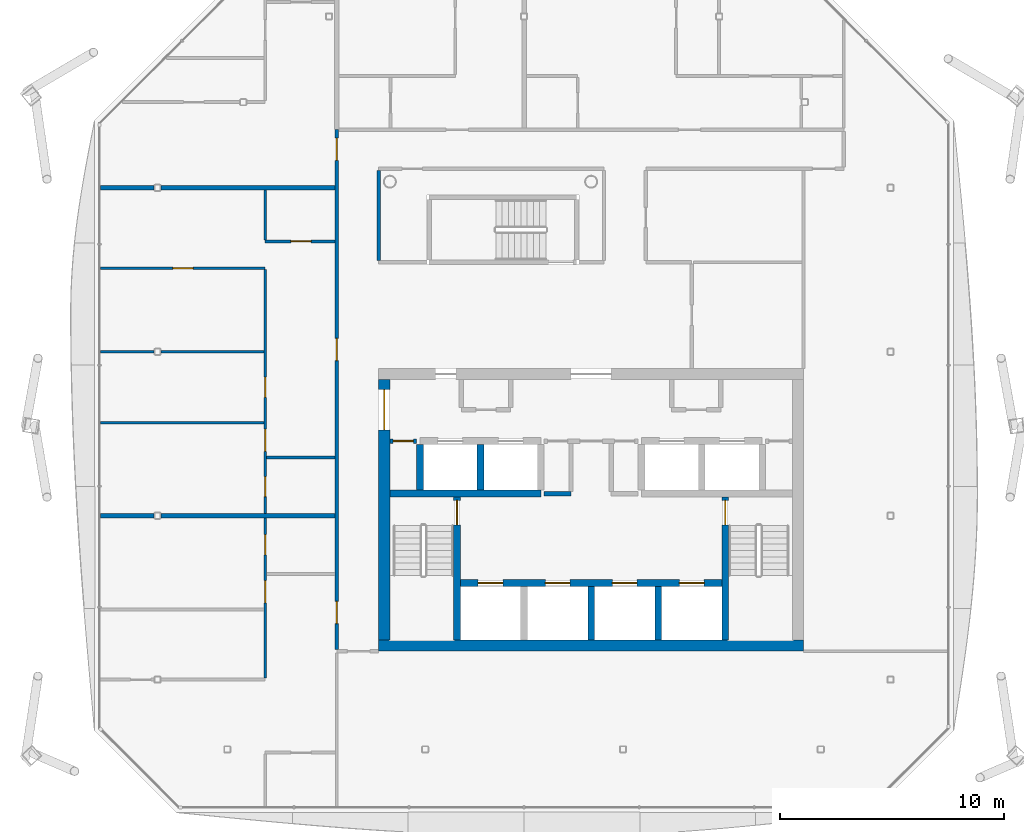
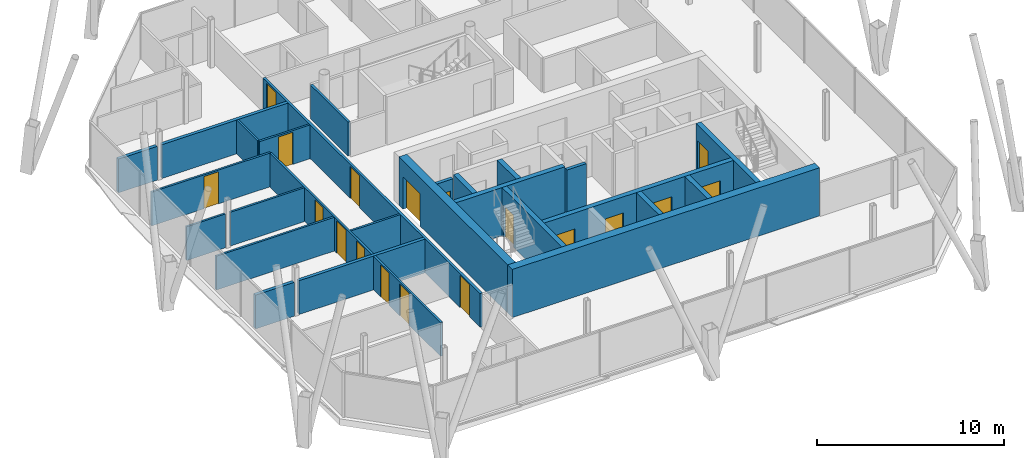
# One storey, part 12 of 18: 26 walls, 18 doors, 18 openings.
"""IFC4 building model written with IfcOpenShell, lengths in metres."""

from ifc_helpers import new_model, si_unit, direction, frame, frame_2d, origin, place, context, subcontext, project, spatial, rectangle, extrude, material, layer, layer_set, type_object, element, fill, save


model = new_model("IFC4")

# Units and contexts
model_context = context("Model", 3, precision=1e-05, world=origin(), true_north=direction((0.0, 1.0)))
body_context = subcontext(model_context, "Body", "Model", "MODEL_VIEW")
ifc_project = project(units=[si_unit("LENGTHUNIT", "METRE"), si_unit("AREAUNIT", "SQUARE_METRE"), si_unit("VOLUMEUNIT", "CUBIC_METRE"), si_unit("PLANEANGLEUNIT", "RADIAN"), si_unit("MASSUNIT", "GRAM", prefix="KILO")], contexts=[model_context])

# Site, building, storey
site_placement = place(None, origin())
site = spatial("IfcSite", under=ifc_project, at=site_placement, CompositionType="ELEMENT")
building_placement = place(site_placement, origin())
building = spatial("IfcBuilding", under=site, at=building_placement, Name="Tskaro Facet Tower", CompositionType="ELEMENT")
storey_placement = place(building_placement, frame((0.0, 0.0, 217.199951171875)))
storey = spatial("IfcBuildingStorey", under=building, at=storey_placement, Name="L55", CompositionType="ELEMENT", Elevation=217.199951171875)

# Wall, openings, doors
ifc_material_1 = material(Name="Concrete C60/75", Category="concrete")
ifc_layer_1 = layer(ifc_material_1, 0.300048828125, Name="Concrete C60/75")
ifc_layer_set_1 = layer_set([ifc_layer_1], Name="Concrete C60/75")
wall_type_1 = type_object("IfcWallType", Name="CORE-SHAFT", PredefinedType="SHEAR", material=ifc_layer_set_1)
wall_1_placement = place(storey_placement, frame((-5.85009765625, -8.949951171875, 0.0), z_axis=(0.0, 0.0, 1.0), x_axis=(1.0, 0.0, 0.0)))
wall_1 = element("IfcWall", 1, at=wall_1_placement, inside=storey, type_object=wall_type_1, Name="Shaft wall W007", PredefinedType="SHEAR", context=body_context, shape_type="SweptSolid", body=[
    extrude(rectangle(XDim=11.7001953125, YDim=0.300048828125, at=frame_2d((5.85009765625, 0.0))), origin(), (0.0, 0.0, 1.0), 3.150146484375),
])
opening_1_placement = place(wall_1_placement, frame((0.800048828125, 0.0, 0.0)))
opening_1 = element("IfcOpeningElement", 2, at=opening_1_placement, cuts=wall_1, Name="Opening LD-FF1", PredefinedType="OPENING", context=body_context, shape_type="SweptSolid", body=[
    extrude(rectangle(XDim=1.10009765625, YDim=2.10009765625, at=frame_2d((0.550048828125, 1.050048828125))), frame((0.0, 0.159912109375, 0.0), z_axis=(0.0, -1.0, 0.0), x_axis=(1.0, 0.0, 0.0)), (0.0, 0.0, 1.0), 0.320068359375),
])
opening_2_placement = place(wall_1_placement, frame((3.800048828125, 0.0, 0.0)))
opening_2 = element("IfcOpeningElement", 3, at=opening_2_placement, cuts=wall_1, Name="Opening LD-FF2", PredefinedType="OPENING", context=body_context, shape_type="SweptSolid", body=[
    extrude(rectangle(XDim=1.10009765625, YDim=2.10009765625, at=frame_2d((0.550048828125, 1.050048828125))), frame((0.0, 0.159912109375, 0.0), z_axis=(0.0, -1.0, 0.0), x_axis=(1.0, 0.0, 0.0)), (0.0, 0.0, 1.0), 0.320068359375),
])
opening_3_placement = place(wall_1_placement, frame((6.800048828125, 0.0, 0.0)))
opening_3 = element("IfcOpeningElement", 4, at=opening_3_placement, cuts=wall_1, Name="Opening LD-SV1", PredefinedType="OPENING", context=body_context, shape_type="SweptSolid", body=[
    extrude(rectangle(XDim=1.10009765625, YDim=2.10009765625, at=frame_2d((0.550048828125, 1.050048828125))), frame((0.0, 0.159912109375, 0.0), z_axis=(0.0, -1.0, 0.0), x_axis=(1.0, 0.0, 0.0)), (0.0, 0.0, 1.0), 0.320068359375),
])
opening_4_placement = place(wall_1_placement, frame((9.800048828125, 0.0, 0.0)))
opening_4 = element("IfcOpeningElement", 5, at=opening_4_placement, cuts=wall_1, Name="Opening LD-SV2", PredefinedType="OPENING", context=body_context, shape_type="SweptSolid", body=[
    extrude(rectangle(XDim=1.10009765625, YDim=2.10009765625, at=frame_2d((0.550048828125, 1.050048828125))), frame((0.0, 0.159912109375, 0.0), z_axis=(0.0, -1.0, 0.0), x_axis=(1.0, 0.0, 0.0)), (0.0, 0.0, 1.0), 0.320068359375),
])
ifc_material_2 = material(Name="Stainless steel", Category="steel")
door_type_1 = type_object("IfcDoorType", Name="D-LANDING", OperationType="NOTDEFINED", PredefinedType="DOOR", material=ifc_material_2)
door_1_placement = place(opening_1_placement, origin())
door_1 = element("IfcDoor", 6, at=door_1_placement, inside=storey, type_object=door_type_1, Name="Landing door FF1", OperationType="DOUBLE_DOOR_SLIDING", OverallHeight=2.10009765625, OverallWidth=1.10009765625, PredefinedType="DOOR", context=body_context, shape_type="SweptSolid", body=[
    extrude(rectangle(XDim=1.10009765625, YDim=2.10009765625, at=frame_2d((0.550048828125, 1.050048828125))), frame((0.0, 0.02490234375, 0.0), z_axis=(0.0, -1.0, 0.0), x_axis=(1.0, 0.0, 0.0)), (0.0, 0.0, 1.0), 0.050048828125),
])
fill(opening_1, door_1)
door_2_placement = place(opening_2_placement, origin())
door_2 = element("IfcDoor", 7, at=door_2_placement, inside=storey, type_object=door_type_1, Name="Landing door FF2", OperationType="DOUBLE_DOOR_SLIDING", OverallHeight=2.10009765625, OverallWidth=1.10009765625, PredefinedType="DOOR", context=body_context, shape_type="SweptSolid", body=[
    extrude(rectangle(XDim=1.10009765625, YDim=2.10009765625, at=frame_2d((0.550048828125, 1.050048828125))), frame((0.0, 0.02490234375, 0.0), z_axis=(0.0, -1.0, 0.0), x_axis=(1.0, 0.0, 0.0)), (0.0, 0.0, 1.0), 0.050048828125),
])
fill(opening_2, door_2)
door_3_placement = place(opening_3_placement, origin())
door_3 = element("IfcDoor", 8, at=door_3_placement, inside=storey, type_object=door_type_1, Name="Landing door SV1", OperationType="DOUBLE_DOOR_SLIDING", OverallHeight=2.10009765625, OverallWidth=1.10009765625, PredefinedType="DOOR", context=body_context, shape_type="SweptSolid", body=[
    extrude(rectangle(XDim=1.10009765625, YDim=2.10009765625, at=frame_2d((0.550048828125, 1.050048828125))), frame((0.0, 0.02490234375, 0.0), z_axis=(0.0, -1.0, 0.0), x_axis=(1.0, 0.0, 0.0)), (0.0, 0.0, 1.0), 0.050048828125),
])
fill(opening_3, door_3)
door_4_placement = place(opening_4_placement, origin())
door_4 = element("IfcDoor", 9, at=door_4_placement, inside=storey, type_object=door_type_1, Name="Landing door SV2", OperationType="DOUBLE_DOOR_SLIDING", OverallHeight=2.10009765625, OverallWidth=1.10009765625, PredefinedType="DOOR", context=body_context, shape_type="SweptSolid", body=[
    extrude(rectangle(XDim=1.10009765625, YDim=2.10009765625, at=frame_2d((0.550048828125, 1.050048828125))), frame((0.0, 0.02490234375, 0.0), z_axis=(0.0, -1.0, 0.0), x_axis=(1.0, 0.0, 0.0)), (0.0, 0.0, 1.0), 0.050048828125),
])
fill(opening_4, door_4)

# Walls
wall_2_placement = place(storey_placement, frame((-9.0, -4.949951171875, 0.0), z_axis=(0.0, 0.0, 1.0), x_axis=(1.0, 0.0, 0.0)))
element("IfcWall", 10, at=wall_2_placement, inside=storey, type_object=wall_type_1, Name="Shaft wall W011", PredefinedType="SHEAR", context=body_context, shape_type="SweptSolid", body=[
    extrude(rectangle(XDim=6.75, YDim=0.300048828125, at=frame_2d((3.375, 0.0))), origin(), (0.0, 0.0, 1.0), 3.150146484375),
])
wall_3_placement = place(storey_placement, frame((-7.64990234375, -4.800048828125, 0.0), z_axis=(0.0, 0.0, 1.0), x_axis=(0.0, 1.0, 0.0)))
element("IfcWall", 11, at=wall_3_placement, inside=storey, type_object=wall_type_1, Name="Shaft wall W055", PredefinedType="SHEAR", context=body_context, shape_type="SweptSolid", body=[
    extrude(rectangle(XDim=2.050048828125, YDim=0.300048828125, at=frame_2d((1.02490234375, 0.0))), origin(), (0.0, 0.0, 1.0), 3.150146484375),
])

# Wall, opening, door
wall_4_placement = place(storey_placement, frame((-6.0, -11.5, 0.0), z_axis=(0.0, 0.0, 1.0), x_axis=(0.0, 1.0, 0.0)))
wall_4 = element("IfcWall", 12, at=wall_4_placement, inside=storey, type_object=wall_type_1, Name="Shaft wall W058", PredefinedType="SHEAR", context=body_context, shape_type="SweptSolid", body=[
    extrude(rectangle(XDim=6.39990234375, YDim=0.300048828125, at=frame_2d((3.199951171875, 0.0))), origin(), (0.0, 0.0, 1.0), 3.150146484375),
])
opening_5_placement = place(wall_4_placement, frame((5.14990234375, 0.0, 0.0)))
opening_5 = element("IfcOpeningElement", 13, at=opening_5_placement, cuts=wall_4, Name="Opening ST-1-D1", PredefinedType="OPENING", context=body_context, shape_type="SweptSolid", body=[
    extrude(rectangle(XDim=1.10009765625, YDim=2.10009765625, at=frame_2d((0.550048828125, 1.050048828125))), frame((0.0, 0.159912109375, 0.0), z_axis=(0.0, -1.0, 0.0), x_axis=(1.0, 0.0, 0.0)), (0.0, 0.0, 1.0), 0.320068359375),
])
ifc_material_3 = material(Name="Steel", Category="steel")
door_type_2 = type_object("IfcDoorType", Name="D-STAIR", OperationType="NOTDEFINED", PredefinedType="DOOR", material=ifc_material_3)
door_5_placement = place(opening_5_placement, origin())
door_5 = element("IfcDoor", 14, at=door_5_placement, inside=storey, type_object=door_type_2, Name="Stair door 1", OperationType="SINGLE_SWING_LEFT", OverallHeight=2.10009765625, OverallWidth=1.10009765625, PredefinedType="DOOR", context=body_context, shape_type="SweptSolid", body=[
    extrude(rectangle(XDim=1.10009765625, YDim=2.10009765625, at=frame_2d((0.550048828125, 1.050048828125))), frame((0.0, 0.02490234375, 0.0), z_axis=(0.0, -1.0, 0.0), x_axis=(1.0, 0.0, 0.0)), (0.0, 0.0, 1.0), 0.050048828125),
])
fill(opening_5, door_5)

# Walls
wall_5_placement = place(storey_placement, frame((-4.949951171875, -4.800048828125, 0.0), z_axis=(0.0, 0.0, 1.0), x_axis=(0.0, 1.0, 0.0)))
element("IfcWall", 15, at=wall_5_placement, inside=storey, type_object=wall_type_1, Name="Shaft wall W060", PredefinedType="SHEAR", context=body_context, shape_type="SweptSolid", body=[
    extrude(rectangle(XDim=2.050048828125, YDim=0.300048828125, at=frame_2d((1.02490234375, 0.0))), origin(), (0.0, 0.0, 1.0), 3.150146484375),
])
for number, where, z_axis, x_axis, name in (
    (16, (0.0, -11.5, 0.0), (0.0, 0.0, 1.0), (0.0, 1.0, 0.0), "Shaft wall W069"),
    (17, (3.0, -11.5, 0.0), (0.0, 0.0, 1.0), (0.0, 1.0, 0.0), "Shaft wall W074"),
):
    element("IfcWall", number, at=place(storey_placement, frame(where, z_axis=z_axis, x_axis=x_axis)), inside=storey, type_object=wall_type_1, Name=name, PredefinedType="SHEAR", context=body_context, shape_type="SweptSolid", body=[
        extrude(rectangle(XDim=2.39990234375, YDim=0.300048828125, at=frame_2d((1.199951171875, 0.0))), origin(), (0.0, 0.0, 1.0), 3.150146484375),
    ])

# Wall, opening, door
wall_6_placement = place(storey_placement, frame((6.0, -5.10009765625, 0.0), z_axis=(0.0, 0.0, 1.0), x_axis=(0.0, -1.0, 0.0)))
wall_6 = element("IfcWall", 18, at=wall_6_placement, inside=storey, type_object=wall_type_1, Name="Shaft wall W082", PredefinedType="SHEAR", context=body_context, shape_type="SweptSolid", body=[
    extrude(rectangle(XDim=6.39990234375, YDim=0.300048828125, at=frame_2d((3.199951171875, 0.0))), origin(), (0.0, 0.0, 1.0), 3.150146484375),
])
opening_6_placement = place(wall_6_placement, frame((0.14990234375, 0.0, 0.0)))
opening_6 = element("IfcOpeningElement", 19, at=opening_6_placement, cuts=wall_6, Name="Opening ST-2-D1", PredefinedType="OPENING", context=body_context, shape_type="SweptSolid", body=[
    extrude(rectangle(XDim=1.10009765625, YDim=2.10009765625, at=frame_2d((0.550048828125, 1.050048828125))), frame((0.0, 0.159912109375, 0.0), z_axis=(0.0, -1.0, 0.0), x_axis=(1.0, 0.0, 0.0)), (0.0, 0.0, 1.0), 0.320068359375),
])
door_6_placement = place(opening_6_placement, origin())
door_6 = element("IfcDoor", 20, at=door_6_placement, inside=storey, type_object=door_type_2, Name="Stair door 2", OperationType="SINGLE_SWING_RIGHT", OverallHeight=2.10009765625, OverallWidth=1.10009765625, PredefinedType="DOOR", context=body_context, shape_type="SweptSolid", body=[
    extrude(rectangle(XDim=1.10009765625, YDim=2.10009765625, at=frame_2d((0.550048828125, 1.050048828125))), frame((0.0, 0.02490234375, 0.0), z_axis=(0.0, -1.0, 0.0), x_axis=(1.0, 0.0, 0.0)), (0.0, 0.0, 1.0), 0.050048828125),
])
fill(opening_6, door_6)

# Wall
ifc_material_4 = material(Name="Concrete C20/25", Category="concrete")
ifc_layer_2 = layer(ifc_material_4, 0.199951171875, Name="Concrete C20/25")
ifc_layer_set_2 = layer_set([ifc_layer_2], Name="Concrete C20/25")
wall_type_2 = type_object("IfcWallType", Name="CORE-WALL", PredefinedType="SOLIDWALL", material=ifc_layer_set_2)
wall_7_placement = place(storey_placement, frame((-2.10009765625, -4.949951171875, 0.0), z_axis=(0.0, 0.0, 1.0), x_axis=(1.0, 0.0, 0.0)))
element("IfcWall", 21, at=wall_7_placement, inside=storey, type_object=wall_type_2, Name="Core room wall W012", PredefinedType="SOLIDWALL", context=body_context, shape_type="SweptSolid", body=[
    extrude(rectangle(XDim=1.2001953125, YDim=0.199951171875, at=frame_2d((0.60009765625, 0.0))), origin(), (0.0, 0.0, 1.0), 2.85009765625),
])

# Wall, opening, door
wall_8_placement = place(storey_placement, frame((-7.800048828125, -2.60009765625, 0.0), z_axis=(0.0, 0.0, 1.0), x_axis=(-1.0, 0.0, 0.0)))
wall_8 = element("IfcWall", 22, at=wall_8_placement, inside=storey, type_object=wall_type_2, Name="Core room wall W016", PredefinedType="SOLIDWALL", context=body_context, shape_type="SweptSolid", body=[
    extrude(rectangle(XDim=1.199951171875, YDim=0.199951171875, at=frame_2d((0.60009765625, 0.0))), origin(), (0.0, 0.0, 1.0), 2.85009765625),
])
opening_7_placement = place(wall_8_placement, frame((0.14990234375, 0.0, 0.0)))
opening_7 = element("IfcOpeningElement", 23, at=opening_7_placement, cuts=wall_8, Name="Opening T16-D08", PredefinedType="OPENING", context=body_context, shape_type="SweptSolid", body=[
    extrude(rectangle(XDim=0.89990234375, YDim=2.10009765625, at=frame_2d((0.449951171875, 1.050048828125))), frame((0.0, 0.10986328125, 0.0), z_axis=(0.0, -1.0, 0.0), x_axis=(1.0, 0.0, 0.0)), (0.0, 0.0, 1.0), 0.219970703125),
])
ifc_material_5 = material(Name="Timber", Category="wood")
door_type_3 = type_object("IfcDoorType", Name="D-ROOM", OperationType="NOTDEFINED", PredefinedType="DOOR", material=ifc_material_5)
door_7_placement = place(opening_7_placement, origin())
door_7 = element("IfcDoor", 24, at=door_7_placement, inside=storey, type_object=door_type_3, Name="Door T16-D08", OperationType="SINGLE_SWING_RIGHT", OverallHeight=2.10009765625, OverallWidth=0.89990234375, PredefinedType="DOOR", context=body_context, shape_type="SweptSolid", body=[
    extrude(rectangle(XDim=0.89990234375, YDim=2.10009765625, at=frame_2d((0.449951171875, 1.050048828125))), frame((0.0, 0.02490234375, 0.0), z_axis=(0.0, -1.0, 0.0), x_axis=(1.0, 0.0, 0.0)), (0.0, 0.0, 1.0), 0.050048828125),
])
fill(opening_7, door_7)

# Wall
ifc_material_6 = material(Name="Concrete C40/50", Category="concrete")
ifc_layer_3 = layer(ifc_material_6, 0.5, Name="Concrete C40/50")
ifc_layer_set_3 = layer_set([ifc_layer_3], Name="Concrete C40/50")
wall_type_3 = type_object("IfcWallType", Name="Core wall 500", PredefinedType="SHEAR", material=ifc_layer_set_3)
wall_9_placement = place(storey_placement, frame((-9.5, -11.75, 0.0), z_axis=(0.0, 0.0, 1.0), x_axis=(1.0, 0.0, 0.0)))
element("IfcWall", 25, at=wall_9_placement, inside=storey, type_object=wall_type_3, Name="Core wall CW-Z3S", PredefinedType="SHEAR", context=body_context, shape_type="SweptSolid", body=[
    extrude(rectangle(XDim=19.0, YDim=0.5, at=frame_2d((9.5, 0.0))), origin(), (0.0, 0.0, 1.0), 3.150146484375),
])

# Wall, opening, door
wall_10_placement = place(storey_placement, frame((-9.25, -11.5, 0.0), z_axis=(0.0, 0.0, 1.0), x_axis=(0.0, 1.0, 0.0)))
wall_10 = element("IfcWall", 26, at=wall_10_placement, inside=storey, type_object=wall_type_3, Name="Core wall CW-Z3W", PredefinedType="SHEAR", context=body_context, shape_type="SweptSolid", body=[
    extrude(rectangle(XDim=11.64990234375, YDim=0.5, at=frame_2d((5.824951171875, 0.0))), origin(), (0.0, 0.0, 1.0), 3.150146484375),
])
opening_8_placement = place(wall_10_placement, frame((9.39990234375, 0.0, 0.0)))
opening_8 = element("IfcOpeningElement", 27, at=opening_8_placement, cuts=wall_10, Name="Opening T16-D13", PredefinedType="OPENING", context=body_context, shape_type="SweptSolid", body=[
    extrude(rectangle(XDim=1.800048828125, YDim=2.10009765625, at=frame_2d((0.89990234375, 1.050048828125))), frame((0.0, 0.260009765625, 0.0), z_axis=(0.0, -1.0, 0.0), x_axis=(1.0, 0.0, 0.0)), (0.0, 0.0, 1.0), 0.52001953125),
])
door_type_4 = type_object("IfcDoorType", Name="D-CORE-PAIR", OperationType="NOTDEFINED", PredefinedType="DOOR", material=ifc_material_3)
door_8_placement = place(opening_8_placement, origin())
door_8 = element("IfcDoor", 28, at=door_8_placement, inside=storey, type_object=door_type_4, Name="Door T16-D13", OperationType="DOUBLE_DOOR_SINGLE_SWING", OverallHeight=2.10009765625, OverallWidth=1.800048828125, PredefinedType="DOOR", context=body_context, shape_type="SweptSolid", body=[
    extrude(rectangle(XDim=1.800048828125, YDim=2.10009765625, at=frame_2d((0.89990234375, 1.050048828125))), frame((0.0, 0.02490234375, 0.0), z_axis=(0.0, -1.0, 0.0), x_axis=(1.0, 0.0, 0.0)), (0.0, 0.0, 1.0), 0.050048828125),
])
fill(opening_8, door_8)

# Walls
ifc_material_7 = material(Name="Gypsum board on steel studs", Category="steel")
ifc_layer_4 = layer(ifc_material_7, 0.125, Name="Gypsum board on steel studs")
ifc_layer_set_4 = layer_set([ifc_layer_4], Name="Gypsum board on steel studs")
wall_type_4 = type_object("IfcWallType", Name="PART", PredefinedType="PARTITIONING", material=ifc_layer_set_4)
wall_11_placement = place(storey_placement, frame((-14.512451171875, -3.340087890625, 0.0), z_axis=(0.0, 0.0, 1.0), x_axis=(1.0, 0.0, 0.0)))
element("IfcWall", 29, at=wall_11_placement, inside=storey, type_object=wall_type_4, Name="Partition W015", PredefinedType="PARTITIONING", context=body_context, shape_type="SweptSolid", body=[
    extrude(rectangle(XDim=3.0625, YDim=0.125, at=frame_2d((1.53125, 0.0))), origin(), (0.0, 0.0, 1.0), 2.2099609375),
])
wall_12_placement = place(storey_placement, frame((-21.93505859375, -1.784912109375, 0.0), z_axis=(0.0, 0.0, 1.0), x_axis=(1.0, 0.0, 0.0)))
element("IfcWall", 30, at=wall_12_placement, inside=storey, type_object=wall_type_4, Name="Partition W021", PredefinedType="PARTITIONING", context=body_context, shape_type="SweptSolid", body=[
    extrude(rectangle(XDim=7.297607421875, YDim=0.125, at=frame_2d((3.64892578125, 0.0))), origin(), (0.0, 0.0, 1.0), 2.2099609375),
])
wall_13_placement = place(storey_placement, frame((-21.93505859375, 1.39501953125, 0.0), z_axis=(0.0, 0.0, 1.0), x_axis=(1.0, 0.0, 0.0)))
element("IfcWall", 31, at=wall_13_placement, inside=storey, type_object=wall_type_4, Name="Partition W024", PredefinedType="PARTITIONING", context=body_context, shape_type="SweptSolid", body=[
    extrude(rectangle(XDim=2.39404296875, YDim=0.125, at=frame_2d((1.197021484375, 0.0))), origin(), (0.0, 0.0, 1.0), 2.2099609375),
])
wall_14_placement = place(storey_placement, frame((-19.240966796875, 1.39501953125, 0.0), z_axis=(0.0, 0.0, 1.0), x_axis=(1.0, 0.0, 0.0)))
element("IfcWall", 32, at=wall_14_placement, inside=storey, type_object=wall_type_4, Name="Partition W025", PredefinedType="PARTITIONING", context=body_context, shape_type="SweptSolid", body=[
    extrude(rectangle(XDim=4.603515625, YDim=0.125, at=frame_2d((2.3017578125, 0.0))), origin(), (0.0, 0.0, 1.0), 2.2099609375),
])

# Wall, opening, door
wall_15_placement = place(storey_placement, frame((-14.574951171875, 5.1298828125, 0.0), z_axis=(0.0, 0.0, 1.0), x_axis=(-1.0, 0.0, 0.0)))
wall_15 = element("IfcWall", 33, at=wall_15_placement, inside=storey, type_object=wall_type_4, Name="Partition W026", PredefinedType="PARTITIONING", context=body_context, shape_type="SweptSolid", body=[
    extrude(rectangle(XDim=7.360107421875, YDim=0.125, at=frame_2d((3.68017578125, 0.0))), origin(), (0.0, 0.0, 1.0), 2.2099609375),
])
opening_9_placement = place(wall_15_placement, frame((3.22998046875, 0.0, 0.0)))
opening_9 = element("IfcOpeningElement", 34, at=opening_9_placement, cuts=wall_15, Name="Opening T16-D21", PredefinedType="OPENING", context=body_context, shape_type="SweptSolid", body=[
    extrude(rectangle(XDim=0.89990234375, YDim=2.10009765625, at=frame_2d((0.449951171875, 1.050048828125))), frame((0.0, 0.072509765625, 0.0), z_axis=(0.0, -1.0, 0.0), x_axis=(1.0, 0.0, 0.0)), (0.0, 0.0, 1.0), 0.14501953125),
])
door_9_placement = place(opening_9_placement, origin())
door_9 = element("IfcDoor", 35, at=door_9_placement, inside=storey, type_object=door_type_3, Name="Door T16-D21", OperationType="SINGLE_SWING_RIGHT", OverallHeight=2.10009765625, OverallWidth=0.89990234375, PredefinedType="DOOR", context=body_context, shape_type="SweptSolid", body=[
    extrude(rectangle(XDim=0.89990234375, YDim=2.10009765625, at=frame_2d((0.449951171875, 1.050048828125))), frame((0.0, 0.02490234375, 0.0), z_axis=(0.0, -1.0, 0.0), x_axis=(1.0, 0.0, 0.0)), (0.0, 0.0, 1.0), 0.050048828125),
])
fill(opening_9, door_9)

wall_16_placement = place(storey_placement, frame((-14.574951171875, 6.330078125, 0.0), z_axis=(0.0, 0.0, 1.0), x_axis=(1.0, 0.0, 0.0)))
wall_16 = element("IfcWall", 36, at=wall_16_placement, inside=storey, type_object=wall_type_4, Name="Partition W032", PredefinedType="PARTITIONING", context=body_context, shape_type="SweptSolid", body=[
    extrude(rectangle(XDim=3.125, YDim=0.125, at=frame_2d((1.5625, 0.0))), origin(), (0.0, 0.0, 1.0), 2.2099609375),
])
opening_10_placement = place(wall_16_placement, frame((1.14990234375, 0.0, 0.0)))
opening_10 = element("IfcOpeningElement", 37, at=opening_10_placement, cuts=wall_16, Name="Opening T16-D22", PredefinedType="OPENING", context=body_context, shape_type="SweptSolid", body=[
    extrude(rectangle(XDim=0.89990234375, YDim=2.10009765625, at=frame_2d((0.449951171875, 1.050048828125))), frame((0.0, 0.072509765625, 0.0), z_axis=(0.0, -1.0, 0.0), x_axis=(1.0, 0.0, 0.0)), (0.0, 0.0, 1.0), 0.14501953125),
])
door_10_placement = place(opening_10_placement, origin())
door_10 = element("IfcDoor", 38, at=door_10_placement, inside=storey, type_object=door_type_3, Name="Door T16-D22", OperationType="SINGLE_SWING_LEFT", OverallHeight=2.10009765625, OverallWidth=0.89990234375, PredefinedType="DOOR", context=body_context, shape_type="SweptSolid", body=[
    extrude(rectangle(XDim=0.89990234375, YDim=2.10009765625, at=frame_2d((0.449951171875, 1.050048828125))), frame((0.0, 0.02490234375, 0.0), z_axis=(0.0, -1.0, 0.0), x_axis=(1.0, 0.0, 0.0)), (0.0, 0.0, 1.0), 0.050048828125),
])
fill(opening_10, door_10)

# Wall, openings, doors
wall_17_placement = place(storey_placement, frame((-14.574951171875, -13.20751953125, 0.0), z_axis=(0.0, 0.0, 1.0), x_axis=(0.0, 1.0, 0.0)))
wall_17 = element("IfcWall", 39, at=wall_17_placement, inside=storey, type_object=wall_type_4, Name="Partition W047", PredefinedType="PARTITIONING", context=body_context, shape_type="SweptSolid", body=[
    extrude(rectangle(XDim=18.27490234375, YDim=0.125, at=frame_2d((9.137451171875, 0.0))), origin(), (0.0, 0.0, 1.0), 2.2099609375),
])
opening_11_placement = place(wall_17_placement, frame((3.367431640625, 0.0, 0.0)))
opening_11 = element("IfcOpeningElement", 40, at=opening_11_placement, cuts=wall_17, Name="Opening T16-D05", PredefinedType="OPENING", context=body_context, shape_type="SweptSolid", body=[
    extrude(rectangle(XDim=1.0, YDim=2.10009765625, at=frame_2d((0.5, 1.050048828125))), frame((0.0, 0.072509765625, 0.0), z_axis=(0.0, -1.0, 0.0), x_axis=(1.0, 0.0, 0.0)), (0.0, 0.0, 1.0), 0.14501953125),
])
opening_12_placement = place(wall_17_placement, frame((5.517578125, 0.0, 0.0)))
opening_12 = element("IfcOpeningElement", 41, at=opening_12_placement, cuts=wall_17, Name="Opening T16-D06", PredefinedType="OPENING", context=body_context, shape_type="SweptSolid", body=[
    extrude(rectangle(XDim=0.89990234375, YDim=2.10009765625, at=frame_2d((0.449951171875, 1.050048828125))), frame((0.0, 0.072509765625, 0.0), z_axis=(0.0, -1.0, 0.0), x_axis=(1.0, 0.0, 0.0)), (0.0, 0.0, 1.0), 0.14501953125),
])
opening_13_placement = place(wall_17_placement, frame((12.5625, 0.0, 0.0)))
opening_13 = element("IfcOpeningElement", 42, at=opening_13_placement, cuts=wall_17, Name="Opening T16-D16", PredefinedType="OPENING", context=body_context, shape_type="SweptSolid", body=[
    extrude(rectangle(XDim=0.89990234375, YDim=2.10009765625, at=frame_2d((0.449951171875, 1.050048828125))), frame((0.0, 0.072509765625, 0.0), z_axis=(0.0, -1.0, 0.0), x_axis=(1.0, 0.0, 0.0)), (0.0, 0.0, 1.0), 0.14501953125),
])
opening_14_placement = place(wall_17_placement, frame((10.14501953125, 0.0, 0.0)))
opening_14 = element("IfcOpeningElement", 43, at=opening_14_placement, cuts=wall_17, Name="Opening T16-D12", PredefinedType="OPENING", context=body_context, shape_type="SweptSolid", body=[
    extrude(rectangle(XDim=1.0, YDim=2.10009765625, at=frame_2d((0.5, 1.050048828125))), frame((0.0, 0.072509765625, 0.0), z_axis=(0.0, -1.0, 0.0), x_axis=(1.0, 0.0, 0.0)), (0.0, 0.0, 1.0), 0.14501953125),
])
opening_15_placement = place(wall_17_placement, frame((8.117431640625, 0.0, 0.0)))
opening_15 = element("IfcOpeningElement", 44, at=opening_15_placement, cuts=wall_17, Name="Opening T16-D07", PredefinedType="OPENING", context=body_context, shape_type="SweptSolid", body=[
    extrude(rectangle(XDim=0.89990234375, YDim=2.10009765625, at=frame_2d((0.449951171875, 1.050048828125))), frame((0.0, 0.072509765625, 0.0), z_axis=(0.0, -1.0, 0.0), x_axis=(1.0, 0.0, 0.0)), (0.0, 0.0, 1.0), 0.14501953125),
])
door_11_placement = place(opening_12_placement, origin())
door_11 = element("IfcDoor", 45, at=door_11_placement, inside=storey, type_object=door_type_3, Name="Door T16-D06", OperationType="SINGLE_SWING_LEFT", OverallHeight=2.10009765625, OverallWidth=0.89990234375, PredefinedType="DOOR", context=body_context, shape_type="SweptSolid", body=[
    extrude(rectangle(XDim=0.89990234375, YDim=2.10009765625, at=frame_2d((0.449951171875, 1.050048828125))), frame((0.0, 0.02490234375, 0.0), z_axis=(0.0, -1.0, 0.0), x_axis=(1.0, 0.0, 0.0)), (0.0, 0.0, 1.0), 0.050048828125),
])
fill(opening_12, door_11)
door_12_placement = place(opening_13_placement, origin())
door_12 = element("IfcDoor", 46, at=door_12_placement, inside=storey, type_object=door_type_3, Name="Door T16-D16", OperationType="SINGLE_SWING_LEFT", OverallHeight=2.10009765625, OverallWidth=0.89990234375, PredefinedType="DOOR", context=body_context, shape_type="SweptSolid", body=[
    extrude(rectangle(XDim=0.89990234375, YDim=2.10009765625, at=frame_2d((0.449951171875, 1.050048828125))), frame((0.0, 0.02490234375, 0.0), z_axis=(0.0, -1.0, 0.0), x_axis=(1.0, 0.0, 0.0)), (0.0, 0.0, 1.0), 0.050048828125),
])
fill(opening_13, door_12)
door_13_placement = place(opening_15_placement, origin())
door_13 = element("IfcDoor", 47, at=door_13_placement, inside=storey, type_object=door_type_3, Name="Door T16-D07", OperationType="SINGLE_SWING_LEFT", OverallHeight=2.10009765625, OverallWidth=0.89990234375, PredefinedType="DOOR", context=body_context, shape_type="SweptSolid", body=[
    extrude(rectangle(XDim=0.89990234375, YDim=2.10009765625, at=frame_2d((0.449951171875, 1.050048828125))), frame((0.0, 0.02490234375, 0.0), z_axis=(0.0, -1.0, 0.0), x_axis=(1.0, 0.0, 0.0)), (0.0, 0.0, 1.0), 0.050048828125),
])
fill(opening_15, door_13)
door_type_5 = type_object("IfcDoorType", Name="D-ROOM-WIDE", OperationType="NOTDEFINED", PredefinedType="DOOR", material=ifc_material_5)
door_14_placement = place(opening_11_placement, origin())
door_14 = element("IfcDoor", 48, at=door_14_placement, inside=storey, type_object=door_type_5, Name="Door T16-D05", OperationType="SINGLE_SWING_LEFT", OverallHeight=2.10009765625, OverallWidth=1.0, PredefinedType="DOOR", context=body_context, shape_type="SweptSolid", body=[
    extrude(rectangle(XDim=1.0, YDim=2.10009765625, at=frame_2d((0.5, 1.050048828125))), frame((0.0, 0.02490234375, 0.0), z_axis=(0.0, -1.0, 0.0), x_axis=(1.0, 0.0, 0.0)), (0.0, 0.0, 1.0), 0.050048828125),
])
fill(opening_11, door_14)
door_15_placement = place(opening_14_placement, origin())
door_15 = element("IfcDoor", 49, at=door_15_placement, inside=storey, type_object=door_type_5, Name="Door T16-D12", OperationType="SINGLE_SWING_LEFT", OverallHeight=2.10009765625, OverallWidth=1.0, PredefinedType="DOOR", context=body_context, shape_type="SweptSolid", body=[
    extrude(rectangle(XDim=1.0, YDim=2.10009765625, at=frame_2d((0.5, 1.050048828125))), frame((0.0, 0.02490234375, 0.0), z_axis=(0.0, -1.0, 0.0), x_axis=(1.0, 0.0, 0.0)), (0.0, 0.0, 1.0), 0.050048828125),
])
fill(opening_14, door_15)

# Wall
wall_18_placement = place(storey_placement, frame((-14.574951171875, 6.392578125, 0.0), z_axis=(0.0, 0.0, 1.0), x_axis=(0.0, 1.0, 0.0)))
element("IfcWall", 50, at=wall_18_placement, inside=storey, type_object=wall_type_4, Name="Partition W048", PredefinedType="PARTITIONING", context=body_context, shape_type="SweptSolid", body=[
    extrude(rectangle(XDim=2.2373046875, YDim=0.125, at=frame_2d((1.11865234375, 0.0))), origin(), (0.0, 0.0, 1.0), 2.2099609375),
])

# Wall, openings, doors
ifc_layer_5 = layer(ifc_material_7, 0.14990234375, Name="Gypsum board on steel studs")
ifc_layer_set_5 = layer_set([ifc_layer_5], Name="Gypsum board on steel studs")
wall_type_5 = type_object("IfcWallType", Name="PART-CORR", PredefinedType="PARTITIONING", material=ifc_layer_set_5)
wall_19_placement = place(storey_placement, frame((-11.375, -11.925048828125, 0.0), z_axis=(0.0, 0.0, 1.0), x_axis=(0.0, 1.0, 0.0)))
wall_19 = element("IfcWall", 51, at=wall_19_placement, inside=storey, type_object=wall_type_5, Name="Corridor wall W051", PredefinedType="PARTITIONING", context=body_context, shape_type="SweptSolid", body=[
    extrude(rectangle(XDim=23.25, YDim=0.14990234375, at=frame_2d((11.625, 0.0))), origin(), (0.0, 0.0, 1.0), 2.2099609375),
])
opening_16_placement = place(wall_19_placement, frame((1.155029296875, 0.0, 0.0)))
opening_16 = element("IfcOpeningElement", 52, at=opening_16_placement, cuts=wall_19, Name="Opening T16-D04", PredefinedType="OPENING", context=body_context, shape_type="SweptSolid", body=[
    extrude(rectangle(XDim=1.0, YDim=2.10009765625, at=frame_2d((0.5, 1.050048828125))), frame((0.0, 0.0849609375, 0.0), z_axis=(0.0, -1.0, 0.0), x_axis=(1.0, 0.0, 0.0)), (0.0, 0.0, 1.0), 0.169921875),
])
opening_17_placement = place(wall_19_placement, frame((12.919921875, 0.0, 0.0)))
opening_17 = element("IfcOpeningElement", 53, at=opening_17_placement, cuts=wall_19, Name="Opening T16-D19", PredefinedType="OPENING", context=body_context, shape_type="SweptSolid", body=[
    extrude(rectangle(XDim=1.0, YDim=2.10009765625, at=frame_2d((0.5, 1.050048828125))), frame((0.0, 0.0849609375, 0.0), z_axis=(0.0, -1.0, 0.0), x_axis=(1.0, 0.0, 0.0)), (0.0, 0.0, 1.0), 0.169921875),
])
opening_18_placement = place(wall_19_placement, frame((21.875, 0.0, 0.0)))
opening_18 = element("IfcOpeningElement", 54, at=opening_18_placement, cuts=wall_19, Name="Opening T16-D26", PredefinedType="OPENING", context=body_context, shape_type="SweptSolid", body=[
    extrude(rectangle(XDim=1.0, YDim=2.10009765625, at=frame_2d((0.5, 1.050048828125))), frame((0.0, 0.0849609375, 0.0), z_axis=(0.0, -1.0, 0.0), x_axis=(1.0, 0.0, 0.0)), (0.0, 0.0, 1.0), 0.169921875),
])
door_type_6 = type_object("IfcDoorType", Name="D-FLAT-ENTRY", OperationType="NOTDEFINED", PredefinedType="DOOR", material=ifc_material_5)
door_16_placement = place(opening_16_placement, origin())
door_16 = element("IfcDoor", 55, at=door_16_placement, inside=storey, type_object=door_type_6, Name="Door T16-D04", OperationType="SINGLE_SWING_LEFT", OverallHeight=2.10009765625, OverallWidth=1.0, PredefinedType="DOOR", context=body_context, shape_type="SweptSolid", body=[
    extrude(rectangle(XDim=1.0, YDim=2.10009765625, at=frame_2d((0.5, 1.050048828125))), frame((0.0, 0.02490234375, 0.0), z_axis=(0.0, -1.0, 0.0), x_axis=(1.0, 0.0, 0.0)), (0.0, 0.0, 1.0), 0.050048828125),
])
fill(opening_16, door_16)
door_17_placement = place(opening_17_placement, origin())
door_17 = element("IfcDoor", 56, at=door_17_placement, inside=storey, type_object=door_type_6, Name="Door T16-D19", OperationType="SINGLE_SWING_LEFT", OverallHeight=2.10009765625, OverallWidth=1.0, PredefinedType="DOOR", context=body_context, shape_type="SweptSolid", body=[
    extrude(rectangle(XDim=1.0, YDim=2.10009765625, at=frame_2d((0.5, 1.050048828125))), frame((0.0, 0.02490234375, 0.0), z_axis=(0.0, -1.0, 0.0), x_axis=(1.0, 0.0, 0.0)), (0.0, 0.0, 1.0), 0.050048828125),
])
fill(opening_17, door_17)
door_18_placement = place(opening_18_placement, origin())
door_18 = element("IfcDoor", 57, at=door_18_placement, inside=storey, type_object=door_type_6, Name="Door T16-D26", OperationType="SINGLE_SWING_LEFT", OverallHeight=2.10009765625, OverallWidth=1.0, PredefinedType="DOOR", context=body_context, shape_type="SweptSolid", body=[
    extrude(rectangle(XDim=1.0, YDim=2.10009765625, at=frame_2d((0.5, 1.050048828125))), frame((0.0, 0.02490234375, 0.0), z_axis=(0.0, -1.0, 0.0), x_axis=(1.0, 0.0, 0.0)), (0.0, 0.0, 1.0), 0.050048828125),
])
fill(opening_18, door_18)

# Walls
wall_20_placement = place(storey_placement, frame((-9.5, 5.47509765625, 0.0), z_axis=(0.0, 0.0, 1.0), x_axis=(0.0, 1.0, 0.0)))
element("IfcWall", 58, at=wall_20_placement, inside=storey, type_object=wall_type_5, Name="Corridor wall W053", PredefinedType="PARTITIONING", context=body_context, shape_type="SweptSolid", body=[
    extrude(rectangle(XDim=4.02490234375, YDim=0.14990234375, at=frame_2d((2.012451171875, 0.0))), origin(), (0.0, 0.0, 1.0), 2.2099609375),
])
ifc_layer_6 = layer(ifc_material_7, 0.199951171875, Name="Gypsum board on steel studs")
ifc_layer_set_6 = layer_set([ifc_layer_6], Name="Gypsum board on steel studs")
wall_type_6 = type_object("IfcWallType", Name="PART-DEMISING", PredefinedType="PARTITIONING", material=ifc_layer_set_6)
wall_21_placement = place(storey_placement, frame((-21.93505859375, -5.93994140625, 0.0), z_axis=(0.0, 0.0, 1.0), x_axis=(1.0, 0.0, 0.0)))
element("IfcWall", 59, at=wall_21_placement, inside=storey, type_object=wall_type_6, Name="Guest room wall W009", PredefinedType="PARTITIONING", context=body_context, shape_type="SweptSolid", body=[
    extrude(rectangle(XDim=2.39404296875, YDim=0.199951171875, at=frame_2d((1.197021484375, 0.0))), origin(), (0.0, 0.0, 1.0), 2.2099609375),
])
wall_22_placement = place(storey_placement, frame((-19.240966796875, -5.93994140625, 0.0), z_axis=(0.0, 0.0, 1.0), x_axis=(1.0, 0.0, 0.0)))
element("IfcWall", 60, at=wall_22_placement, inside=storey, type_object=wall_type_6, Name="Guest room wall W010", PredefinedType="PARTITIONING", context=body_context, shape_type="SweptSolid", body=[
    extrude(rectangle(XDim=7.791015625, YDim=0.199951171875, at=frame_2d((3.8955078125, 0.0))), origin(), (0.0, 0.0, 1.0), 2.2099609375),
])
wall_23_placement = place(storey_placement, frame((-21.93505859375, 8.72998046875, 0.0), z_axis=(0.0, 0.0, 1.0), x_axis=(1.0, 0.0, 0.0)))
element("IfcWall", 61, at=wall_23_placement, inside=storey, type_object=wall_type_6, Name="Guest room wall W034", PredefinedType="PARTITIONING", context=body_context, shape_type="SweptSolid", body=[
    extrude(rectangle(XDim=2.39404296875, YDim=0.199951171875, at=frame_2d((1.197021484375, 0.0))), origin(), (0.0, 0.0, 1.0), 2.2099609375),
])
wall_24_placement = place(storey_placement, frame((-19.240966796875, 8.72998046875, 0.0), z_axis=(0.0, 0.0, 1.0), x_axis=(1.0, 0.0, 0.0)))
element("IfcWall", 62, at=wall_24_placement, inside=storey, type_object=wall_type_6, Name="Guest room wall W035", PredefinedType="PARTITIONING", context=body_context, shape_type="SweptSolid", body=[
    extrude(rectangle(XDim=7.791015625, YDim=0.199951171875, at=frame_2d((3.8955078125, 0.0))), origin(), (0.0, 0.0, 1.0), 2.2099609375),
])

save(model, "model.ifc")
